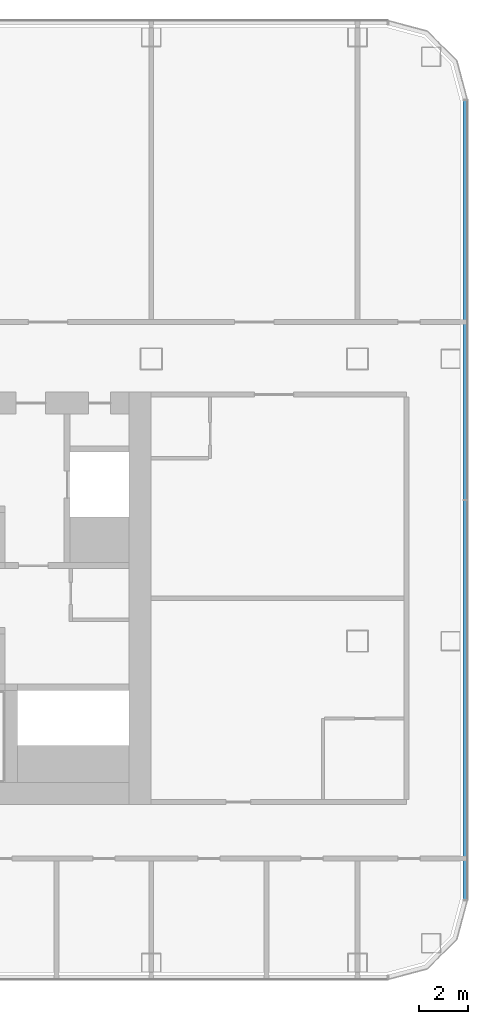
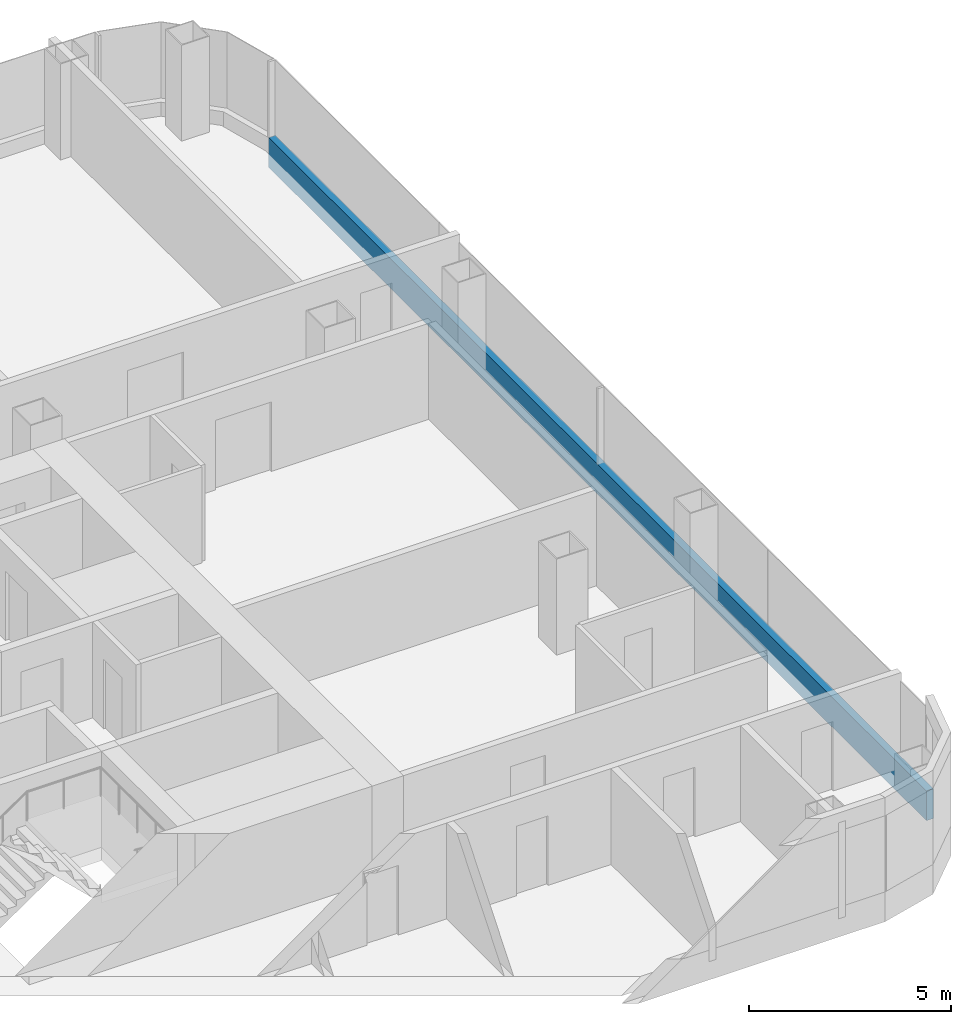
# One storey, part 12 of 29: 1 member, 1 element without a shape of its own.
"""IFC4 building model written with IfcOpenShell, lengths in metres."""

import ifcopenshell
import ifcopenshell.guid

model = None  # the IFC model being written
_history = None  # IfcOwnerHistory: only IFC2X3 demands one
_inside = {}  # id of a spatial element -> (the spatial element, [elements in it])
_under = {}  # id of a project, library or spatial element -> (it, [spatial elements below it])
_declared = {}  # id of a project -> (the project, [libraries it declares])
_typed = {}  # id of a type object -> (the type object, [elements of that type])
_made_of = {}  # id of a material, layer set ... -> (it, [elements and type objects made of it])


def new_model(schema):
    """Start an empty IFC model of exactly this schema.

    Asked for "IFC4X3", IfcOpenShell would pick the latest addendum, in which some entities
    have other attributes; the version numbers below select the first issue.
    IFC2X3 requires an IfcOwnerHistory on every rooted entity: one is made here for all.
    """
    global model, _history
    if schema == "IFC4X3":
        model = ifcopenshell.file(schema_version=(4, 3, 0, 0))
    else:
        model = ifcopenshell.file(schema=schema)
    _inside.clear()
    _under.clear()
    _declared.clear()
    _typed.clear()
    _made_of.clear()
    _history = None
    if model.schema == "IFC2X3":
        org = make("IfcOrganization", Name="unknown")
        user = make(
            "IfcPersonAndOrganization",
            ThePerson=make("IfcPerson", FamilyName="unknown"),
            TheOrganization=org,
        )
        app = make(
            "IfcApplication",
            ApplicationDeveloper=org,
            Version="unknown",
            ApplicationFullName="unknown",
            ApplicationIdentifier="unknown",
        )
        _history = make(
            "IfcOwnerHistory",
            OwningUser=user,
            OwningApplication=app,
            ChangeAction="ADDED",
            CreationDate=0,
        )
    return model


def make(cls, **values):
    """One entity of the class cls with the attributes given. An attribute that is None is left unset."""
    return model.create_entity(
        cls, **{name: value for name, value in values.items() if value is not None}
    )


def rooted(cls, **values):
    """An entity with a GlobalId (a new one), such as an element, a storey or a relation."""
    return make(cls, GlobalId=ifcopenshell.guid.new(), OwnerHistory=_history, **values)


def si_unit(unit_type, name, prefix=None):
    """IfcSIUnit, for example si_unit("LENGTHUNIT", "METRE", prefix="MILLI")."""
    return make("IfcSIUnit", UnitType=unit_type, Prefix=prefix, Name=name)


def assignment(units):
    """IfcUnitAssignment: the units of a project."""
    return None if units is None else make("IfcUnitAssignment", Units=units)


def point(xyz):
    """IfcCartesianPoint."""
    return None if xyz is None else make("IfcCartesianPoint", Coordinates=xyz)


def direction(xyz):
    """IfcDirection."""
    return None if xyz is None else make("IfcDirection", DirectionRatios=xyz)


def frame(location, z_axis=None, x_axis=None):
    """IfcAxis2Placement3D, a coordinate frame: its origin and axes. An axis left out is left unset."""
    return make(
        "IfcAxis2Placement3D",
        Location=point(location),
        Axis=direction(z_axis),
        RefDirection=direction(x_axis),
    )


def frame_2d(location, x_axis=None):
    """IfcAxis2Placement2D, a coordinate frame in the plane: its origin and x axis."""
    return make(
        "IfcAxis2Placement2D", Location=point(location), RefDirection=direction(x_axis)
    )


def origin():
    """The frame at (0, 0, 0) with its axes left unset."""
    return frame((0.0, 0.0, 0.0))


def origin_2d():
    """The frame at (0, 0) in the plane with its x axis left unset."""
    return frame_2d((0.0, 0.0))


def place(relative_to, where):
    """IfcLocalPlacement: puts the frame where relative to a parent placement (None: the world)."""
    return make(
        "IfcLocalPlacement", PlacementRelTo=relative_to, RelativePlacement=where
    )


def context(
    kind, dimensions, precision=None, world=None, true_north=None, identifier=None
):
    """IfcGeometricRepresentationContext, for example the 3D "Model" context."""
    return make(
        "IfcGeometricRepresentationContext",
        ContextIdentifier=identifier,
        ContextType=kind,
        CoordinateSpaceDimension=dimensions,
        Precision=precision,
        WorldCoordinateSystem=world,
        TrueNorth=true_north,
    )


def subcontext(parent, identifier, kind, view, scale=None):
    """IfcGeometricRepresentationSubContext, for example "Body" below "Model"."""
    return make(
        "IfcGeometricRepresentationSubContext",
        ContextIdentifier=identifier,
        ContextType=kind,
        ParentContext=parent,
        TargetScale=scale,
        TargetView=view,
    )


def project(units=None, contexts=None):
    """IfcProject with its units and contexts."""
    return rooted(
        "IfcProject",
        Name="project",
        RepresentationContexts=contexts,
        UnitsInContext=assignment(units),
    )


def spatial(cls, under=None, at=None, **own):
    """A site, building, storey or space (cls), placed at a placement, below another one or the project."""
    s = rooted(cls, ObjectPlacement=at, **own)
    if under is not None:
        _under.setdefault(under.id(), (under, []))[1].append(s)
    return s


def profile(cls, at=None, kind="AREA", **sizes):
    """A parametric profile (cls). Its sizes go by their IFC names, for example OverallWidth=200.0."""
    return make(cls, ProfileType=kind, Position=at, **sizes)


def rectangle(**sizes):
    """IfcRectangleProfileDef."""
    return profile("IfcRectangleProfileDef", **sizes)


def extrude(swept, where, along, depth):
    """IfcExtrudedAreaSolid: the profile swept, set in the frame where, extruded along a direction by depth."""
    return make(
        "IfcExtrudedAreaSolid",
        SweptArea=swept,
        Position=where,
        ExtrudedDirection=direction(along),
        Depth=depth,
    )


def shape(context_of_items, identifier, shape_type, items):
    """IfcShapeRepresentation: the items that make up one representation, for example the "Body"."""
    return make(
        "IfcShapeRepresentation",
        ContextOfItems=context_of_items,
        RepresentationIdentifier=identifier,
        RepresentationType=shape_type,
        Items=items,
    )


def material(Name=None, Category=None):
    """IfcMaterial."""
    return make("IfcMaterial", Name=Name, Category=Category)


def layer(
    of_material, thickness, ventilated=None, Name=None, Category=None, Priority=None
):
    """IfcMaterialLayer: one layer of a wall or slab, of a material (None: an air gap)."""
    return make(
        "IfcMaterialLayer",
        Material=of_material,
        LayerThickness=thickness,
        IsVentilated=ventilated,
        Name=Name,
        Category=Category,
        Priority=Priority,
    )


def layer_set(layers, Name=None):
    """IfcMaterialLayerSet."""
    return make("IfcMaterialLayerSet", MaterialLayers=layers, LayerSetName=Name)


def material_profile(
    of_material, cross_section, Name=None, Category=None, Priority=None
):
    """IfcMaterialProfile: a cross section and its material."""
    return make(
        "IfcMaterialProfile",
        Name=Name,
        Material=of_material,
        Profile=cross_section,
        Priority=Priority,
        Category=Category,
    )


def profile_set(profiles, Name=None, composite=None):
    """IfcMaterialProfileSet."""
    return make(
        "IfcMaterialProfileSet",
        Name=Name,
        MaterialProfiles=profiles,
        CompositeProfile=composite,
    )


def made_of(thing, what):
    """Note that an element or type object is made of a material, layer set ...; save() writes the relation."""
    if what is not None:
        _made_of.setdefault(what.id(), (what, []))[1].append(thing)
    return thing


def type_object(cls, material=None, **own):
    """A type object (cls), such as IfcWallType, which elements share."""
    return made_of(rooted(cls, **own), material)


def element(
    cls,
    number,
    at=None,
    inside=None,
    cuts=None,
    type_object=None,
    material=None,
    context=None,
    identifier="Body",
    shape_type=None,
    held_by="IfcProductDefinitionShape",
    body=None,
    shapes=None,
    **own,
):
    """One element of the class cls, such as IfcWall. Its Tag is "e" and its number.

    at: its placement. inside: the storey or other place that contains it. cuts: it is an
    opening in that element (IfcRelVoidsElement). A single representation is given by context,
    identifier, shape_type and body (its items); several are given by shapes. held_by: the class
    of the entity that holds the representations. save() writes the other relations.
    """
    e = rooted(cls, Tag="e%d" % number, ObjectPlacement=at, **own)
    if body is not None:
        shapes = [shape(context, identifier, shape_type, body)]
    if shapes is not None:
        e.Representation = make(held_by, Representations=shapes)
    if inside is not None:
        _inside.setdefault(inside.id(), (inside, []))[1].append(e)
    if cuts is not None:
        rooted(
            "IfcRelVoidsElement", RelatingBuildingElement=cuts, RelatedOpeningElement=e
        )
    if type_object is not None:
        _typed.setdefault(type_object.id(), (type_object, []))[1].append(e)
    return made_of(e, material)


def aggregate(whole, parts):
    """IfcRelAggregates: a whole, such as a stair, and the parts it consists of."""
    return rooted("IfcRelAggregates", RelatingObject=whole, RelatedObjects=parts)


def save(model, path):
    """Write the relations noted so far, then the file.

    IfcRelAggregates (storeys below a building ...), IfcRelContainedInSpatialStructure (elements
    in a storey), IfcRelDefinesByType, IfcRelAssociatesMaterial and IfcRelDeclares: one each for
    every whole, place, type object, material and project.
    """
    for whole, parts in _under.values():
        aggregate(whole, parts)
    for where, things in _inside.values():
        rooted(
            "IfcRelContainedInSpatialStructure",
            RelatedElements=things,
            RelatingStructure=where,
        )
    for kind, things in _typed.values():
        rooted("IfcRelDefinesByType", RelatedObjects=things, RelatingType=kind)
    for what, things in _made_of.values():
        rooted("IfcRelAssociatesMaterial", RelatedObjects=things, RelatingMaterial=what)
    for by, libraries in _declared.values():
        rooted("IfcRelDeclares", RelatingContext=by, RelatedDefinitions=libraries)
    model.write(path)


model = new_model("IFC4")

# Units and contexts
model_context = context("Model", 3, precision=1e-05, world=origin(), true_north=direction((0.0, 1.0)))
body_context = subcontext(model_context, "Body", "Model", "MODEL_VIEW")
ifc_project = project(units=[si_unit("LENGTHUNIT", "METRE"), si_unit("AREAUNIT", "SQUARE_METRE"), si_unit("VOLUMEUNIT", "CUBIC_METRE"), si_unit("PLANEANGLEUNIT", "RADIAN"), si_unit("MASSUNIT", "GRAM", prefix="KILO")], contexts=[model_context])

# Site, building, storey
site_placement = place(None, origin())
site = spatial("IfcSite", under=ifc_project, at=site_placement, CompositionType="ELEMENT")
building_placement = place(site_placement, origin())
building = spatial("IfcBuilding", under=site, at=building_placement, Name="Hakoniwa Tower and Hamabe Station Hall", CompositionType="ELEMENT")
storey_placement = place(building_placement, frame((0.0, 0.0, 117.0)))
storey = spatial("IfcBuildingStorey", under=building, at=storey_placement, Name="L33", CompositionType="ELEMENT", Elevation=117.0)

# Curtain wall, member
ifc_material_1 = material(Name="Dark low-e laminated glass", Category="glass")
ifc_layer = layer(ifc_material_1, 0.199951171875)
ifc_layer_set = layer_set([ifc_layer], Name="CW-1 UNITISED GUEST")
curtain_wall_type = type_object("IfcCurtainWallType", Name="CW-1 UNITISED GUEST", PredefinedType="NOTDEFINED", material=ifc_layer_set)
curtain_wall_placement = place(storey_placement, origin())
curtain_wall = element("IfcCurtainWall", 1, at=curtain_wall_placement, inside=storey, type_object=curtain_wall_type, Name="CW-1 curtain wall", PredefinedType="NOTDEFINED")
ifc_material_2 = material(Name="Aluminium 6063-T5 black anodised", Category="aluminium")
ifc_material_profile = material_profile(ifc_material_2, rectangle(XDim=0.199951171875, YDim=0.89990234375, at=origin_2d()), Name="CW SLAB-EDGE BAND 900X200")
ifc_profile_set = profile_set([ifc_material_profile], Name="Aluminium 6063-T5 black anodised")
member_type = type_object("IfcMemberType", Name="CW SLAB-EDGE BAND 900X200", PredefinedType="USERDEFINED", material=ifc_profile_set)
member_placement = place(storey_placement, frame((46.39990234375, -12.28955078125, -0.10009765625), z_axis=(0.0, 1.0, 0.0), x_axis=(-1.0, 0.0, 0.0)))
member = element("IfcMember", 2, at=member_placement, type_object=member_type, Name="CW-1 transom", ObjectType="TRANSOM", PredefinedType="USERDEFINED", context=body_context, shape_type="SweptSolid", body=[
    extrude(rectangle(XDim=0.199951171875, YDim=0.89990234375, at=origin_2d()), origin(), (0.0, 0.0, 1.0), 32.5791015625),
])
aggregate(curtain_wall, [member])

save(model, "model.ifc")
